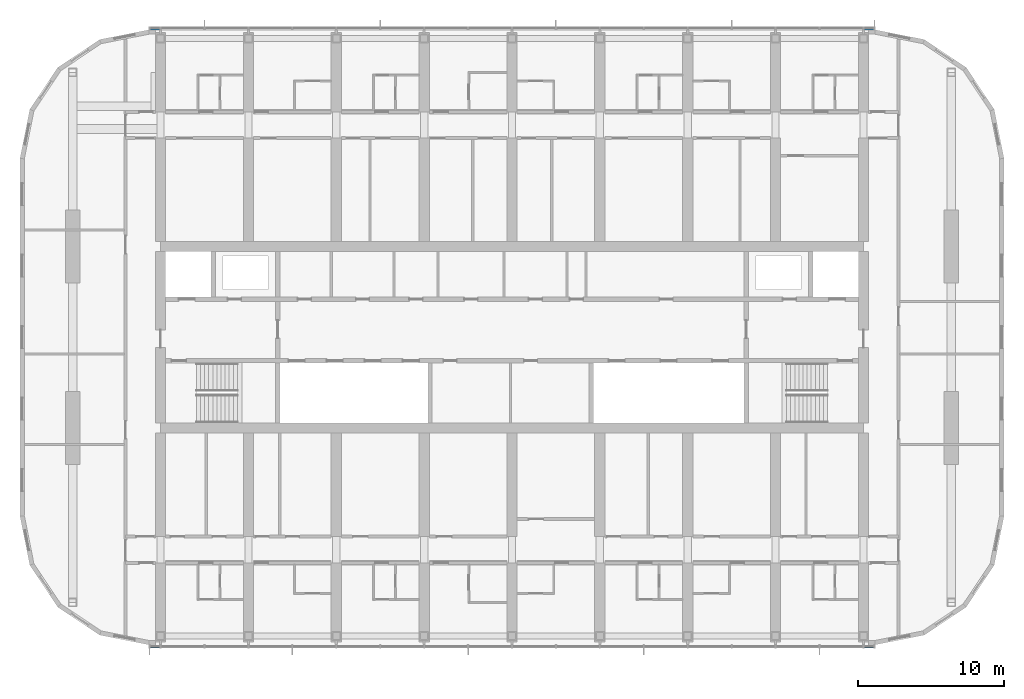
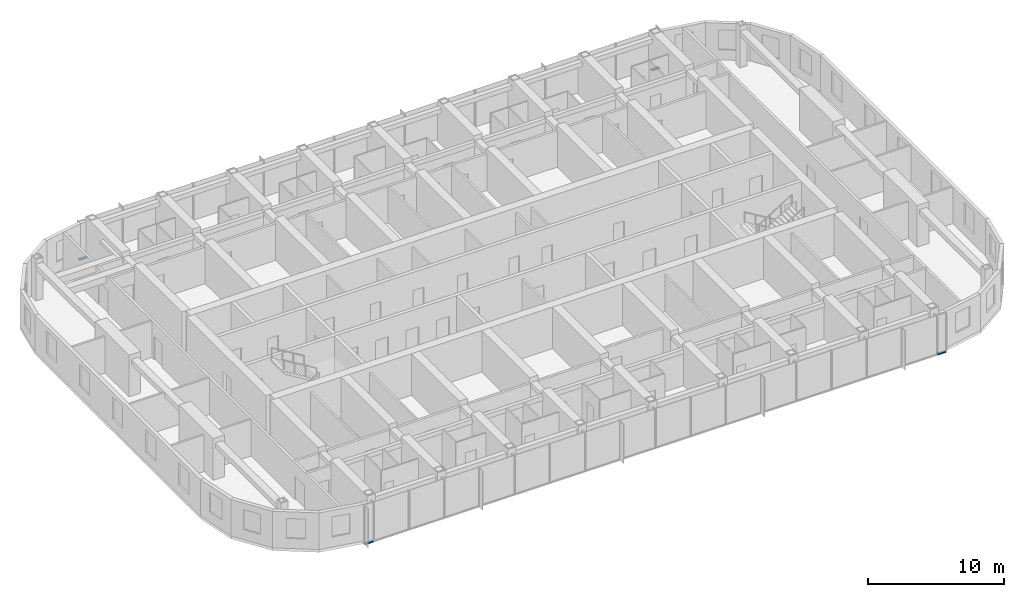
# One storey, part 6 of 23: 4 members, 2 elements without a shape of their own.
"""IFC4 building model written with IfcOpenShell, lengths in metres."""

from ifc_helpers import new_model, si_unit, direction, frame, origin, origin_2d, place, context, subcontext, project, spatial, rectangle, extrude, material, material_profile, profile_set, type_object, element, aggregate, save


model = new_model("IFC4")

# Units and contexts
model_context = context("Model", 3, precision=1e-05, world=origin(), true_north=direction((0.0, 1.0)))
body_context = subcontext(model_context, "Body", "Model", "MODEL_VIEW")
ifc_project = project(units=[si_unit("LENGTHUNIT", "METRE"), si_unit("AREAUNIT", "SQUARE_METRE"), si_unit("VOLUMEUNIT", "CUBIC_METRE"), si_unit("PLANEANGLEUNIT", "RADIAN"), si_unit("MASSUNIT", "GRAM", prefix="KILO")], contexts=[model_context])

# Site, building, storey
site_placement = place(None, origin())
site = spatial("IfcSite", under=ifc_project, at=site_placement, CompositionType="ELEMENT")
building_placement = place(site_placement, origin())
building = spatial("IfcBuilding", under=site, at=building_placement, Name="Orbita Commons", CompositionType="ELEMENT")
storey_placement = place(building_placement, frame((0.0, 0.0, 227.800048828125)))
storey = spatial("IfcBuildingStorey", under=building, at=storey_placement, Name="L56", CompositionType="ELEMENT", Elevation=227.800048828125)

# Curtain wall, members
ifc_material_1 = material(Name="Anodised aluminium frame, pale silver", Category="aluminium")
curtain_wall_type = type_object("IfcCurtainWallType", Name="Unitised curtain wall CW-U, full-height vision", PredefinedType="NOTDEFINED", material=ifc_material_1)
curtain_wall_1_placement = place(storey_placement, origin())
curtain_wall_1 = element("IfcCurtainWall", 1, at=curtain_wall_1_placement, inside=storey, type_object=curtain_wall_type, Name="Curtain wall south L56", PredefinedType="NOTDEFINED")
ifc_material_2 = material(Name="Anodised aluminium, pale silver", Category="aluminium")
ifc_material_profile = material_profile(ifc_material_2, rectangle(XDim=0.219970703125, YDim=0.10009765625, at=origin_2d()), Name="AL 220x100")
ifc_profile_set = profile_set([ifc_material_profile], Name="Anodised aluminium, pale silver")
member_type = type_object("IfcMemberType", Name="Curtain wall stack transom 220x100", PredefinedType="USERDEFINED", material=ifc_profile_set)
member_1_placement = place(storey_placement, frame((17.280029296875, 10.889892578125, -0.199951171875), z_axis=(1.0, 0.0, 0.0), x_axis=(0.0, 1.0, 0.0)))
member_1 = element("IfcMember", 2, at=member_1_placement, type_object=member_type, Name="Transom 1.1 CW-L56-S", ObjectType="TRANSOM", PredefinedType="USERDEFINED", context=body_context, shape_type="SweptSolid", body=[
    extrude(rectangle(XDim=0.219970703125, YDim=0.10009765625, at=origin_2d()), origin(), (0.0, 0.0, 1.0), 0.679931640625),
])
member_2_placement = place(storey_placement, frame((66.0400390625, 10.889892578125, -0.199951171875), z_axis=(1.0, 0.0, 0.0), x_axis=(0.0, 1.0, 0.0)))
member_2 = element("IfcMember", 3, at=member_2_placement, type_object=member_type, Name="Transom 18.1 CW-L56-S", ObjectType="TRANSOM", PredefinedType="USERDEFINED", context=body_context, shape_type="SweptSolid", body=[
    extrude(rectangle(XDim=0.219970703125, YDim=0.10009765625, at=origin_2d()), origin(), (0.0, 0.0, 1.0), 0.679931640625),
])
aggregate(curtain_wall_1, [member_1, member_2])

curtain_wall_2_placement = place(storey_placement, origin())
curtain_wall_2 = element("IfcCurtainWall", 4, at=curtain_wall_2_placement, inside=storey, type_object=curtain_wall_type, Name="Curtain wall north L56", PredefinedType="NOTDEFINED")
member_3_placement = place(storey_placement, frame((66.719970703125, 53.110107421875, -0.199951171875), z_axis=(-1.0, 0.0, 0.0), x_axis=(0.0, -1.0, 0.0)))
member_3 = element("IfcMember", 5, at=member_3_placement, type_object=member_type, Name="Transom 1.1 CW-L56-N", ObjectType="TRANSOM", PredefinedType="USERDEFINED", context=body_context, shape_type="SweptSolid", body=[
    extrude(rectangle(XDim=0.219970703125, YDim=0.10009765625, at=origin_2d()), origin(), (0.0, 0.0, 1.0), 0.679931640625),
])
member_4_placement = place(storey_placement, frame((17.9599609375, 53.110107421875, -0.199951171875), z_axis=(-1.0, 0.0, 0.0), x_axis=(0.0, -1.0, 0.0)))
member_4 = element("IfcMember", 6, at=member_4_placement, type_object=member_type, Name="Transom 18.1 CW-L56-N", ObjectType="TRANSOM", PredefinedType="USERDEFINED", context=body_context, shape_type="SweptSolid", body=[
    extrude(rectangle(XDim=0.219970703125, YDim=0.10009765625, at=origin_2d()), origin(), (0.0, 0.0, 1.0), 0.679931640625),
])
aggregate(curtain_wall_2, [member_3, member_4])

save(model, "model.ifc")
